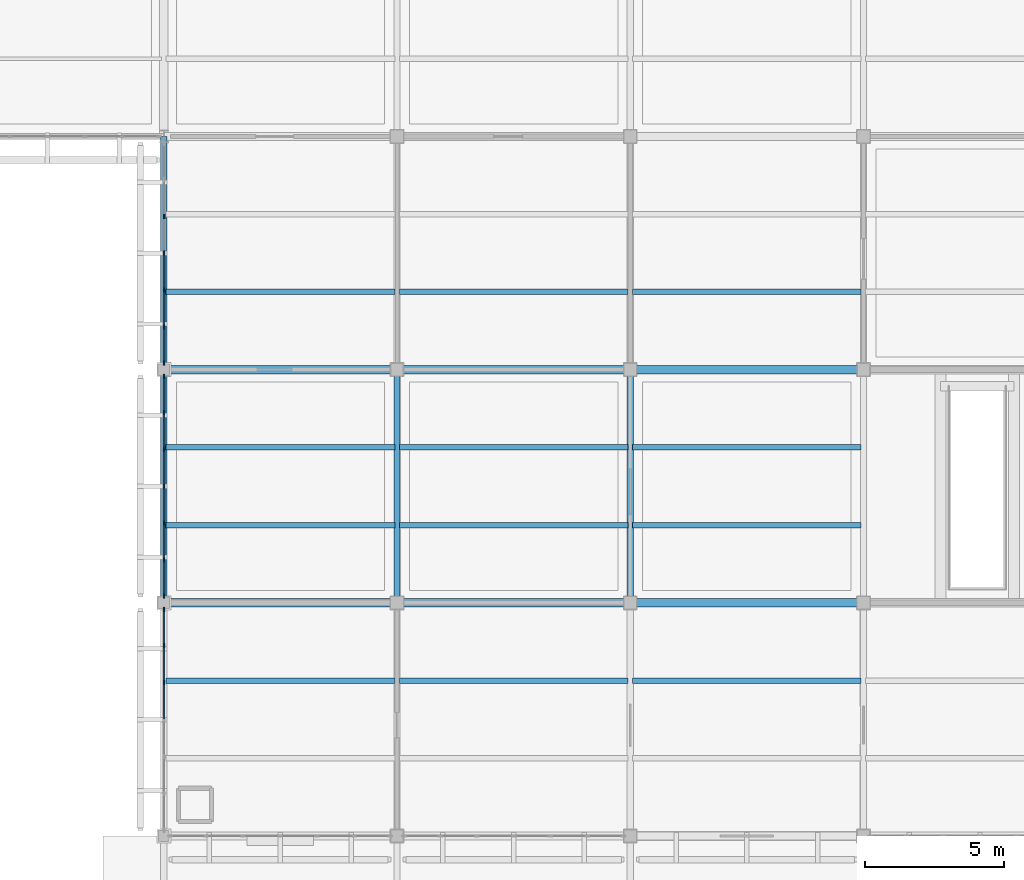
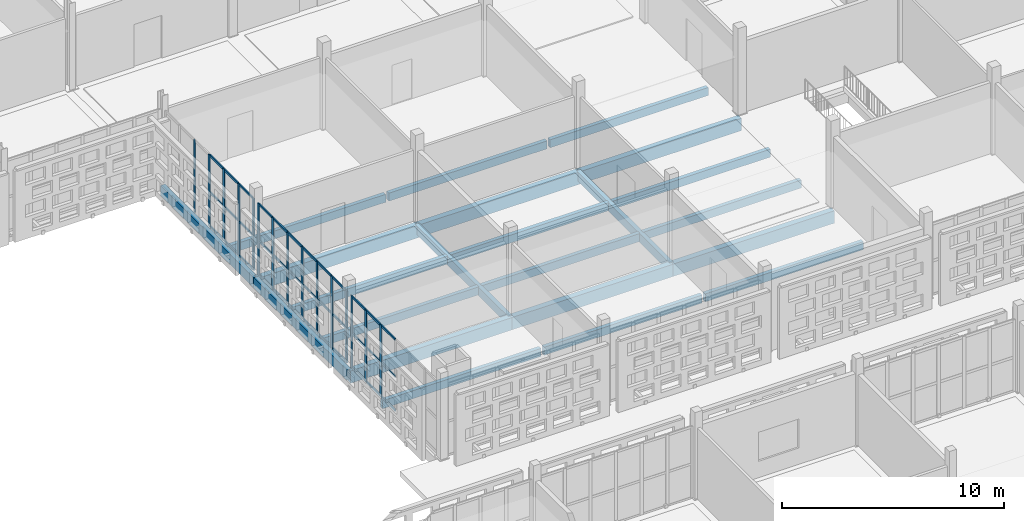
# One storey, part 78 of 203: 51 members, 22 beams, 3 elements without a shape of their own.
"""IFC4 building model written with IfcOpenShell, lengths in metres."""

from ifc_helpers import new_model, si_unit, direction, frame, origin, origin_2d, place, context, subcontext, project, spatial, rectangle, extrude, material, layer, layer_set, material_profile, profile_set, type_object, element, aggregate, save


model = new_model("IFC4")

# Units and contexts
model_context = context("Model", 3, precision=1e-05, world=origin(), true_north=direction((0.0, 1.0)))
body_context = subcontext(model_context, "Body", "Model", "MODEL_VIEW")
ifc_project = project(units=[si_unit("LENGTHUNIT", "METRE"), si_unit("AREAUNIT", "SQUARE_METRE"), si_unit("VOLUMEUNIT", "CUBIC_METRE"), si_unit("PLANEANGLEUNIT", "RADIAN"), si_unit("MASSUNIT", "GRAM", prefix="KILO")], contexts=[model_context])

# Site, building, storey
site_placement = place(None, origin())
site = spatial("IfcSite", under=ifc_project, at=site_placement, CompositionType="ELEMENT")
building_placement = place(site_placement, origin())
building = spatial("IfcBuilding", under=site, at=building_placement, Name="Varnapada Polytechnic", CompositionType="ELEMENT")
storey_placement = place(building_placement, frame((0.0, 0.0, 4.800048828125)))
storey = spatial("IfcBuildingStorey", under=building, at=storey_placement, Name="L01", CompositionType="ELEMENT", Elevation=4.800048828125)

# Beams
ifc_material_1 = material(Name="Glulam GL32h", Category="wood")
ifc_material_profile_1 = material_profile(ifc_material_1, rectangle(XDim=0.199951171875, YDim=0.43994140625, at=origin_2d()), Name="GL 200x440")
ifc_profile_set_1 = profile_set([ifc_material_profile_1], Name="Glulam GL32h")
beam_type_1 = type_object("IfcBeamType", Name="Heavy laboratory glulam joist GJ-03 (GL 200x440)", PredefinedType="JOIST", material=ifc_profile_set_1)
for number, where, z_axis, x_axis, name in (
    (1, (134.47998046875, 64.39990234375, -0.469970703125), (1.0, 0.0, 0.0), (0.0, 1.0, 0.0), "L01 floor joist 17/8.2"),
    (2, (134.47998046875, 70.0, -0.469970703125), (1.0, 0.0, 0.0), (0.0, 1.0, 0.0), "L01 floor joist 17/9.1"),
    (3, (134.47998046875, 72.800048828125, -0.469970703125), (1.0, 0.0, 0.0), (0.0, 1.0, 0.0), "L01 floor joist 17/9.2"),
    (4, (134.47998046875, 78.39990234375, -0.469970703125), (1.0, 0.0, 0.0), (0.0, 1.0, 0.0), "L01 floor joist 17/10.1"),
):
    element("IfcBeam", number, at=place(storey_placement, frame(where, z_axis=z_axis, x_axis=x_axis)), inside=storey, type_object=beam_type_1, Name=name, PredefinedType="JOIST", context=body_context, shape_type="SweptSolid", body=[
        extrude(rectangle(XDim=0.199951171875, YDim=0.43994140625, at=origin_2d()), origin(), (0.0, 0.0, 1.0), 8.239990234375),
    ])
for number, where, z_axis, x_axis, name in (
    (5, (142.8798828125, 64.39990234375, -0.469970703125), (1.0, 0.0, 0.0), (0.0, 1.0, 0.0), "L01 floor joist 18/8.2"),
    (6, (142.8798828125, 70.0, -0.469970703125), (1.0, 0.0, 0.0), (0.0, 1.0, 0.0), "L01 floor joist 18/9.1"),
    (7, (142.8798828125, 72.800048828125, -0.469970703125), (1.0, 0.0, 0.0), (0.0, 1.0, 0.0), "L01 floor joist 18/9.2"),
    (8, (142.8798828125, 78.39990234375, -0.469970703125), (1.0, 0.0, 0.0), (0.0, 1.0, 0.0), "L01 floor joist 18/10.1"),
):
    element("IfcBeam", number, at=place(storey_placement, frame(where, z_axis=z_axis, x_axis=x_axis)), inside=storey, type_object=beam_type_1, Name=name, PredefinedType="JOIST", context=body_context, shape_type="SweptSolid", body=[
        extrude(rectangle(XDim=0.199951171875, YDim=0.43994140625, at=origin_2d()), origin(), (0.0, 0.0, 1.0), 8.240234375),
    ])
for number, where, z_axis, x_axis, name in (
    (9, (151.280029296875, 64.39990234375, -0.469970703125), (1.0, 0.0, 0.0), (0.0, 1.0, 0.0), "L01 floor joist 19/8.2"),
    (10, (151.280029296875, 70.0, -0.469970703125), (1.0, 0.0, 0.0), (0.0, 1.0, 0.0), "L01 floor joist 19/9.1"),
    (11, (151.280029296875, 72.800048828125, -0.469970703125), (1.0, 0.0, 0.0), (0.0, 1.0, 0.0), "L01 floor joist 19/9.2"),
    (12, (151.280029296875, 78.39990234375, -0.469970703125), (1.0, 0.0, 0.0), (0.0, 1.0, 0.0), "L01 floor joist 19/10.1"),
):
    element("IfcBeam", number, at=place(storey_placement, frame(where, z_axis=z_axis, x_axis=x_axis)), inside=storey, type_object=beam_type_1, Name=name, PredefinedType="JOIST", context=body_context, shape_type="SweptSolid", body=[
        extrude(rectangle(XDim=0.199951171875, YDim=0.43994140625, at=origin_2d()), origin(), (0.0, 0.0, 1.0), 8.239990234375),
    ])

# Curtain wall, members
ifc_material_2 = material(Name="Double low-E laminated glass", Category="glass")
ifc_layer = layer(ifc_material_2, 0.159912109375)
ifc_layer_set = layer_set([ifc_layer], Name="Double low-E laminated glass")
curtain_wall_type = type_object("IfcCurtainWallType", Name="Curtain Wall CW-01", PredefinedType="NOTDEFINED", material=ifc_layer_set)
curtain_wall_1_placement = place(storey_placement, origin())
curtain_wall_1 = element("IfcCurtainWall", 13, at=curtain_wall_1_placement, inside=storey, type_object=curtain_wall_type, Name="L01 unitised curtain wall CW-01 (102)", PredefinedType="NOTDEFINED")
ifc_material_3 = material(Name="Anodised aluminium", Category="aluminium")
ifc_material_profile_2 = material_profile(ifc_material_3, rectangle(XDim=0.06005859375, YDim=0.159912109375, at=origin_2d()), Name="ALU M60x160")
ifc_profile_set_2 = profile_set([ifc_material_profile_2], Name="Anodised aluminium")
member_type_1 = type_object("IfcMemberType", Name="Mullion M-01", PredefinedType="MULLION", material=ifc_profile_set_2)
member_1_placement = place(storey_placement, frame((134.39990234375, 64.3232421875, 0.0), z_axis=(0.0, 0.0, 1.0), x_axis=(-1.0, 0.0, 0.0)))
member_1 = element("IfcMember", 14, at=member_1_placement, type_object=member_type_1, Name="CW-01 mullion 5", PredefinedType="MULLION", context=body_context, shape_type="SweptSolid", body=[
    extrude(rectangle(XDim=0.06005859375, YDim=0.159912109375, at=origin_2d()), origin(), (0.0, 0.0, 1.0), 3.9599609375),
])
member_2_placement = place(storey_placement, frame((134.39990234375, 65.65673828125, 0.0), z_axis=(0.0, 0.0, 1.0), x_axis=(-1.0, 0.0, 0.0)))
member_2 = element("IfcMember", 15, at=member_2_placement, type_object=member_type_1, Name="CW-01 mullion 6", PredefinedType="MULLION", context=body_context, shape_type="SweptSolid", body=[
    extrude(rectangle(XDim=0.06005859375, YDim=0.159912109375, at=origin_2d()), origin(), (0.0, 0.0, 1.0), 3.9599609375),
])
member_3_placement = place(storey_placement, frame((134.39990234375, 66.9599609375, 0.0), z_axis=(0.0, 0.0, 1.0), x_axis=(-1.0, 0.0, 0.0)))
member_3 = element("IfcMember", 16, at=member_3_placement, type_object=member_type_1, Name="CW-01 mullion 7", PredefinedType="MULLION", context=body_context, shape_type="SweptSolid", body=[
    extrude(rectangle(XDim=0.06005859375, YDim=0.159912109375, at=origin_2d()), origin(), (0.0, 0.0, 1.0), 3.9599609375),
])

curtain_wall_2_placement = place(storey_placement, origin())
curtain_wall_2 = element("IfcCurtainWall", 17, at=curtain_wall_2_placement, inside=storey, type_object=curtain_wall_type, Name="L01 unitised curtain wall CW-01 (103)", PredefinedType="NOTDEFINED")
member_4_placement = place(storey_placement, frame((134.39990234375, 67.43994140625, 0.0), z_axis=(0.0, 0.0, 1.0), x_axis=(-1.0, 0.0, 0.0)))
member_4 = element("IfcMember", 18, at=member_4_placement, type_object=member_type_1, Name="CW-01 mullion 1", PredefinedType="MULLION", context=body_context, shape_type="SweptSolid", body=[
    extrude(rectangle(XDim=0.06005859375, YDim=0.159912109375, at=origin_2d()), origin(), (0.0, 0.0, 1.0), 3.9599609375),
])
member_5_placement = place(storey_placement, frame((134.39990234375, 68.739990234375, 0.0), z_axis=(0.0, 0.0, 1.0), x_axis=(-1.0, 0.0, 0.0)))
member_5 = element("IfcMember", 19, at=member_5_placement, type_object=member_type_1, Name="CW-01 mullion 2", PredefinedType="MULLION", context=body_context, shape_type="SweptSolid", body=[
    extrude(rectangle(XDim=0.06005859375, YDim=0.159912109375, at=origin_2d()), origin(), (0.0, 0.0, 1.0), 3.9599609375),
])
member_6_placement = place(storey_placement, frame((134.39990234375, 70.070068359375, 0.0), z_axis=(0.0, 0.0, 1.0), x_axis=(-1.0, 0.0, 0.0)))
member_6 = element("IfcMember", 20, at=member_6_placement, type_object=member_type_1, Name="CW-01 mullion 3", PredefinedType="MULLION", context=body_context, shape_type="SweptSolid", body=[
    extrude(rectangle(XDim=0.06005859375, YDim=0.159912109375, at=origin_2d()), origin(), (0.0, 0.0, 1.0), 3.9599609375),
])
member_7_placement = place(storey_placement, frame((134.39990234375, 71.39990234375, 0.0), z_axis=(0.0, 0.0, 1.0), x_axis=(-1.0, 0.0, 0.0)))
member_7 = element("IfcMember", 21, at=member_7_placement, type_object=member_type_1, Name="CW-01 mullion 4", PredefinedType="MULLION", context=body_context, shape_type="SweptSolid", body=[
    extrude(rectangle(XDim=0.06005859375, YDim=0.159912109375, at=origin_2d()), origin(), (0.0, 0.0, 1.0), 3.9599609375),
])
member_8_placement = place(storey_placement, frame((134.39990234375, 72.72998046875, 0.0), z_axis=(0.0, 0.0, 1.0), x_axis=(-1.0, 0.0, 0.0)))
member_8 = element("IfcMember", 22, at=member_8_placement, type_object=member_type_1, Name="CW-01 mullion 5", PredefinedType="MULLION", context=body_context, shape_type="SweptSolid", body=[
    extrude(rectangle(XDim=0.06005859375, YDim=0.159912109375, at=origin_2d()), origin(), (0.0, 0.0, 1.0), 3.9599609375),
])
member_9_placement = place(storey_placement, frame((134.39990234375, 74.06005859375, 0.0), z_axis=(0.0, 0.0, 1.0), x_axis=(-1.0, 0.0, 0.0)))
member_9 = element("IfcMember", 23, at=member_9_placement, type_object=member_type_1, Name="CW-01 mullion 6", PredefinedType="MULLION", context=body_context, shape_type="SweptSolid", body=[
    extrude(rectangle(XDim=0.06005859375, YDim=0.159912109375, at=origin_2d()), origin(), (0.0, 0.0, 1.0), 3.9599609375),
])
member_10_placement = place(storey_placement, frame((134.39990234375, 75.360107421875, 0.0), z_axis=(0.0, 0.0, 1.0), x_axis=(-1.0, 0.0, 0.0)))
member_10 = element("IfcMember", 24, at=member_10_placement, type_object=member_type_1, Name="CW-01 mullion 7", PredefinedType="MULLION", context=body_context, shape_type="SweptSolid", body=[
    extrude(rectangle(XDim=0.06005859375, YDim=0.159912109375, at=origin_2d()), origin(), (0.0, 0.0, 1.0), 3.9599609375),
])

curtain_wall_3_placement = place(storey_placement, origin())
curtain_wall_3 = element("IfcCurtainWall", 25, at=curtain_wall_3_placement, inside=storey, type_object=curtain_wall_type, Name="L01 unitised curtain wall CW-01 (104)", PredefinedType="NOTDEFINED")
member_11_placement = place(storey_placement, frame((134.39990234375, 75.840087890625, 0.0), z_axis=(0.0, 0.0, 1.0), x_axis=(-1.0, 0.0, 0.0)))
member_11 = element("IfcMember", 26, at=member_11_placement, type_object=member_type_1, Name="CW-01 mullion 1", PredefinedType="MULLION", context=body_context, shape_type="SweptSolid", body=[
    extrude(rectangle(XDim=0.06005859375, YDim=0.159912109375, at=origin_2d()), origin(), (0.0, 0.0, 1.0), 3.9599609375),
])
member_12_placement = place(storey_placement, frame((134.39990234375, 77.138427734375, 0.0), z_axis=(0.0, 0.0, 1.0), x_axis=(-1.0, 0.0, 0.0)))
member_12 = element("IfcMember", 27, at=member_12_placement, type_object=member_type_1, Name="CW-01 mullion 2", PredefinedType="MULLION", context=body_context, shape_type="SweptSolid", body=[
    extrude(rectangle(XDim=0.06005859375, YDim=0.159912109375, at=origin_2d()), origin(), (0.0, 0.0, 1.0), 3.9599609375),
])
member_13_placement = place(storey_placement, frame((134.39990234375, 78.466552734375, 0.0), z_axis=(0.0, 0.0, 1.0), x_axis=(-1.0, 0.0, 0.0)))
member_13 = element("IfcMember", 28, at=member_13_placement, type_object=member_type_1, Name="CW-01 mullion 3", PredefinedType="MULLION", context=body_context, shape_type="SweptSolid", body=[
    extrude(rectangle(XDim=0.06005859375, YDim=0.159912109375, at=origin_2d()), origin(), (0.0, 0.0, 1.0), 3.9599609375),
])
member_14_placement = place(storey_placement, frame((134.39990234375, 79.794921875, 0.0), z_axis=(0.0, 0.0, 1.0), x_axis=(-1.0, 0.0, 0.0)))
member_14 = element("IfcMember", 29, at=member_14_placement, type_object=member_type_1, Name="CW-01 mullion 4", PredefinedType="MULLION", context=body_context, shape_type="SweptSolid", body=[
    extrude(rectangle(XDim=0.06005859375, YDim=0.159912109375, at=origin_2d()), origin(), (0.0, 0.0, 1.0), 3.9599609375),
])
member_15_placement = place(storey_placement, frame((134.39990234375, 81.123291015625, 0.0), z_axis=(0.0, 0.0, 1.0), x_axis=(-1.0, 0.0, 0.0)))
member_15 = element("IfcMember", 30, at=member_15_placement, type_object=member_type_1, Name="CW-01 mullion 5", PredefinedType="MULLION", context=body_context, shape_type="SweptSolid", body=[
    extrude(rectangle(XDim=0.06005859375, YDim=0.159912109375, at=origin_2d()), origin(), (0.0, 0.0, 1.0), 3.9599609375),
])

# Beams
ifc_material_profile_3 = material_profile(ifc_material_1, rectangle(XDim=0.239990234375, YDim=0.56005859375, at=origin_2d()), Name="GL 240x560")
ifc_profile_set_3 = profile_set([ifc_material_profile_3], Name="Glulam GL32h")
beam_type_2 = type_object("IfcBeamType", Name="Perimeter glulam spandrel beam SP-02 (GL 240x560)", PredefinedType="SPANDREL", material=ifc_profile_set_3)
beam_1_placement = place(storey_placement, frame((134.39990234375, 67.199951171875, -0.530029296875), z_axis=(0.0, 1.0, 0.0), x_axis=(-1.0, 0.0, 0.0)))
element("IfcBeam", 31, at=beam_1_placement, inside=storey, type_object=beam_type_2, Name="L01 beam Y 9-10 at X17", PredefinedType="SPANDREL", context=body_context, shape_type="SweptSolid", body=[
    extrude(rectangle(XDim=0.239990234375, YDim=0.56005859375, at=origin_2d()), origin(), (0.0, 0.0, 1.0), 8.400146484375),
])
beam_2_placement = place(storey_placement, frame((134.39990234375, 75.60009765625, -0.5400390625), z_axis=(0.0, 1.0, 0.0), x_axis=(-1.0, 0.0, 0.0)))
element("IfcBeam", 32, at=beam_2_placement, inside=storey, type_object=beam_type_2, Name="L01 beam Y 10-11 at X17", PredefinedType="SPANDREL", context=body_context, shape_type="SweptSolid", body=[
    extrude(rectangle(XDim=0.239990234375, YDim=0.56005859375, at=origin_2d()), origin(), (0.0, 0.0, 1.0), 8.39990234375),
])

# Member
ifc_material_profile_4 = material_profile(ifc_material_3, rectangle(XDim=0.06005859375, YDim=0.1201171875, at=origin_2d()), Name="ALU T60x120")
ifc_profile_set_4 = profile_set([ifc_material_profile_4], Name="Anodised aluminium")
member_type_2 = type_object("IfcMemberType", Name="Transom T-01", PredefinedType="USERDEFINED", material=ifc_profile_set_4)
member_16_placement = place(storey_placement, frame((134.39990234375, 63.02001953125, 0.030029296875), z_axis=(0.0, 1.0, 0.0), x_axis=(-1.0, 0.0, 0.0)))
member_16 = element("IfcMember", 33, at=member_16_placement, type_object=member_type_2, Name="CW-01 transom 4.1", ObjectType="TRANSOM", PredefinedType="USERDEFINED", context=body_context, shape_type="SweptSolid", body=[
    extrude(rectangle(XDim=0.06005859375, YDim=0.1201171875, at=origin_2d()), origin(), (0.0, 0.0, 1.0), 1.273193359375),
])

member_17_placement = place(storey_placement, frame((134.39990234375, 63.02001953125, 1.900634765625), z_axis=(0.0, 1.0, 0.0), x_axis=(-1.0, 0.0, 0.0)))
member_17 = element("IfcMember", 34, at=member_17_placement, type_object=member_type_2, Name="CW-01 transom 4.2", ObjectType="TRANSOM", PredefinedType="USERDEFINED", context=body_context, shape_type="SweptSolid", body=[
    extrude(rectangle(XDim=0.06005859375, YDim=0.1201171875, at=origin_2d()), origin(), (0.0, 0.0, 1.0), 1.273193359375),
])

member_18_placement = place(storey_placement, frame((134.39990234375, 63.02001953125, 3.929931640625), z_axis=(0.0, 1.0, 0.0), x_axis=(-1.0, 0.0, 0.0)))
member_18 = element("IfcMember", 35, at=member_18_placement, type_object=member_type_2, Name="CW-01 transom 4.3", ObjectType="TRANSOM", PredefinedType="USERDEFINED", context=body_context, shape_type="SweptSolid", body=[
    extrude(rectangle(XDim=0.06005859375, YDim=0.1201171875, at=origin_2d()), origin(), (0.0, 0.0, 1.0), 1.273193359375),
])

member_19_placement = place(storey_placement, frame((134.39990234375, 64.353271484375, 0.030029296875), z_axis=(0.0, 1.0, 0.0), x_axis=(-1.0, 0.0, 0.0)))
member_19 = element("IfcMember", 36, at=member_19_placement, type_object=member_type_2, Name="CW-01 transom 5.1", ObjectType="TRANSOM", PredefinedType="USERDEFINED", context=body_context, shape_type="SweptSolid", body=[
    extrude(rectangle(XDim=0.06005859375, YDim=0.1201171875, at=origin_2d()), origin(), (0.0, 0.0, 1.0), 1.2734375),
])

member_20_placement = place(storey_placement, frame((134.39990234375, 64.353271484375, 1.900634765625), z_axis=(0.0, 1.0, 0.0), x_axis=(-1.0, 0.0, 0.0)))
member_20 = element("IfcMember", 37, at=member_20_placement, type_object=member_type_2, Name="CW-01 transom 5.2", ObjectType="TRANSOM", PredefinedType="USERDEFINED", context=body_context, shape_type="SweptSolid", body=[
    extrude(rectangle(XDim=0.06005859375, YDim=0.1201171875, at=origin_2d()), origin(), (0.0, 0.0, 1.0), 1.2734375),
])

member_21_placement = place(storey_placement, frame((134.39990234375, 64.353271484375, 3.929931640625), z_axis=(0.0, 1.0, 0.0), x_axis=(-1.0, 0.0, 0.0)))
member_21 = element("IfcMember", 38, at=member_21_placement, type_object=member_type_2, Name="CW-01 transom 5.3", ObjectType="TRANSOM", PredefinedType="USERDEFINED", context=body_context, shape_type="SweptSolid", body=[
    extrude(rectangle(XDim=0.06005859375, YDim=0.1201171875, at=origin_2d()), origin(), (0.0, 0.0, 1.0), 1.2734375),
])

member_22_placement = place(storey_placement, frame((134.39990234375, 65.686767578125, 0.030029296875), z_axis=(0.0, 1.0, 0.0), x_axis=(-1.0, 0.0, 0.0)))
member_22 = element("IfcMember", 39, at=member_22_placement, type_object=member_type_2, Name="CW-01 transom 6.1", ObjectType="TRANSOM", PredefinedType="USERDEFINED", context=body_context, shape_type="SweptSolid", body=[
    extrude(rectangle(XDim=0.06005859375, YDim=0.1201171875, at=origin_2d()), origin(), (0.0, 0.0, 1.0), 1.2431640625),
])

member_23_placement = place(storey_placement, frame((134.39990234375, 65.686767578125, 1.900634765625), z_axis=(0.0, 1.0, 0.0), x_axis=(-1.0, 0.0, 0.0)))
member_23 = element("IfcMember", 40, at=member_23_placement, type_object=member_type_2, Name="CW-01 transom 6.2", ObjectType="TRANSOM", PredefinedType="USERDEFINED", context=body_context, shape_type="SweptSolid", body=[
    extrude(rectangle(XDim=0.06005859375, YDim=0.1201171875, at=origin_2d()), origin(), (0.0, 0.0, 1.0), 1.2431640625),
])

member_24_placement = place(storey_placement, frame((134.39990234375, 65.686767578125, 3.929931640625), z_axis=(0.0, 1.0, 0.0), x_axis=(-1.0, 0.0, 0.0)))
member_24 = element("IfcMember", 41, at=member_24_placement, type_object=member_type_2, Name="CW-01 transom 6.3", ObjectType="TRANSOM", PredefinedType="USERDEFINED", context=body_context, shape_type="SweptSolid", body=[
    extrude(rectangle(XDim=0.06005859375, YDim=0.1201171875, at=origin_2d()), origin(), (0.0, 0.0, 1.0), 1.2431640625),
])

aggregate(curtain_wall_1, [member_1, member_2, member_3, member_16, member_17, member_18, member_19, member_20, member_21, member_22, member_23, member_24])

member_25_placement = place(storey_placement, frame((134.39990234375, 67.469970703125, 0.030029296875), z_axis=(0.0, 1.0, 0.0), x_axis=(-1.0, 0.0, 0.0)))
member_25 = element("IfcMember", 42, at=member_25_placement, type_object=member_type_2, Name="CW-01 transom 1.1", ObjectType="TRANSOM", PredefinedType="USERDEFINED", context=body_context, shape_type="SweptSolid", body=[
    extrude(rectangle(XDim=0.06005859375, YDim=0.1201171875, at=origin_2d()), origin(), (0.0, 0.0, 1.0), 1.239990234375),
])

member_26_placement = place(storey_placement, frame((134.39990234375, 67.469970703125, 1.900634765625), z_axis=(0.0, 1.0, 0.0), x_axis=(-1.0, 0.0, 0.0)))
member_26 = element("IfcMember", 43, at=member_26_placement, type_object=member_type_2, Name="CW-01 transom 1.2", ObjectType="TRANSOM", PredefinedType="USERDEFINED", context=body_context, shape_type="SweptSolid", body=[
    extrude(rectangle(XDim=0.06005859375, YDim=0.1201171875, at=origin_2d()), origin(), (0.0, 0.0, 1.0), 1.239990234375),
])

member_27_placement = place(storey_placement, frame((134.39990234375, 67.469970703125, 3.929931640625), z_axis=(0.0, 1.0, 0.0), x_axis=(-1.0, 0.0, 0.0)))
member_27 = element("IfcMember", 44, at=member_27_placement, type_object=member_type_2, Name="CW-01 transom 1.3", ObjectType="TRANSOM", PredefinedType="USERDEFINED", context=body_context, shape_type="SweptSolid", body=[
    extrude(rectangle(XDim=0.06005859375, YDim=0.1201171875, at=origin_2d()), origin(), (0.0, 0.0, 1.0), 1.239990234375),
])

member_28_placement = place(storey_placement, frame((134.39990234375, 68.77001953125, 0.030029296875), z_axis=(0.0, 1.0, 0.0), x_axis=(-1.0, 0.0, 0.0)))
member_28 = element("IfcMember", 45, at=member_28_placement, type_object=member_type_2, Name="CW-01 transom 2.1", ObjectType="TRANSOM", PredefinedType="USERDEFINED", context=body_context, shape_type="SweptSolid", body=[
    extrude(rectangle(XDim=0.06005859375, YDim=0.1201171875, at=origin_2d()), origin(), (0.0, 0.0, 1.0), 1.27001953125),
])

member_29_placement = place(storey_placement, frame((134.39990234375, 68.77001953125, 1.900634765625), z_axis=(0.0, 1.0, 0.0), x_axis=(-1.0, 0.0, 0.0)))
member_29 = element("IfcMember", 46, at=member_29_placement, type_object=member_type_2, Name="CW-01 transom 2.2", ObjectType="TRANSOM", PredefinedType="USERDEFINED", context=body_context, shape_type="SweptSolid", body=[
    extrude(rectangle(XDim=0.06005859375, YDim=0.1201171875, at=origin_2d()), origin(), (0.0, 0.0, 1.0), 1.27001953125),
])

member_30_placement = place(storey_placement, frame((134.39990234375, 68.77001953125, 3.929931640625), z_axis=(0.0, 1.0, 0.0), x_axis=(-1.0, 0.0, 0.0)))
member_30 = element("IfcMember", 47, at=member_30_placement, type_object=member_type_2, Name="CW-01 transom 2.3", ObjectType="TRANSOM", PredefinedType="USERDEFINED", context=body_context, shape_type="SweptSolid", body=[
    extrude(rectangle(XDim=0.06005859375, YDim=0.1201171875, at=origin_2d()), origin(), (0.0, 0.0, 1.0), 1.27001953125),
])

member_31_placement = place(storey_placement, frame((134.39990234375, 70.10009765625, 0.030029296875), z_axis=(0.0, 1.0, 0.0), x_axis=(-1.0, 0.0, 0.0)))
member_31 = element("IfcMember", 48, at=member_31_placement, type_object=member_type_2, Name="CW-01 transom 3.1", ObjectType="TRANSOM", PredefinedType="USERDEFINED", context=body_context, shape_type="SweptSolid", body=[
    extrude(rectangle(XDim=0.06005859375, YDim=0.1201171875, at=origin_2d()), origin(), (0.0, 0.0, 1.0), 1.27001953125),
])

member_32_placement = place(storey_placement, frame((134.39990234375, 70.10009765625, 1.900634765625), z_axis=(0.0, 1.0, 0.0), x_axis=(-1.0, 0.0, 0.0)))
member_32 = element("IfcMember", 49, at=member_32_placement, type_object=member_type_2, Name="CW-01 transom 3.2", ObjectType="TRANSOM", PredefinedType="USERDEFINED", context=body_context, shape_type="SweptSolid", body=[
    extrude(rectangle(XDim=0.06005859375, YDim=0.1201171875, at=origin_2d()), origin(), (0.0, 0.0, 1.0), 1.27001953125),
])

member_33_placement = place(storey_placement, frame((134.39990234375, 70.10009765625, 3.929931640625), z_axis=(0.0, 1.0, 0.0), x_axis=(-1.0, 0.0, 0.0)))
member_33 = element("IfcMember", 50, at=member_33_placement, type_object=member_type_2, Name="CW-01 transom 3.3", ObjectType="TRANSOM", PredefinedType="USERDEFINED", context=body_context, shape_type="SweptSolid", body=[
    extrude(rectangle(XDim=0.06005859375, YDim=0.1201171875, at=origin_2d()), origin(), (0.0, 0.0, 1.0), 1.27001953125),
])

member_34_placement = place(storey_placement, frame((134.39990234375, 71.429931640625, 0.030029296875), z_axis=(0.0, 1.0, 0.0), x_axis=(-1.0, 0.0, 0.0)))
member_34 = element("IfcMember", 51, at=member_34_placement, type_object=member_type_2, Name="CW-01 transom 4.1", ObjectType="TRANSOM", PredefinedType="USERDEFINED", context=body_context, shape_type="SweptSolid", body=[
    extrude(rectangle(XDim=0.06005859375, YDim=0.1201171875, at=origin_2d()), origin(), (0.0, 0.0, 1.0), 1.27001953125),
])

member_35_placement = place(storey_placement, frame((134.39990234375, 71.429931640625, 1.900634765625), z_axis=(0.0, 1.0, 0.0), x_axis=(-1.0, 0.0, 0.0)))
member_35 = element("IfcMember", 52, at=member_35_placement, type_object=member_type_2, Name="CW-01 transom 4.2", ObjectType="TRANSOM", PredefinedType="USERDEFINED", context=body_context, shape_type="SweptSolid", body=[
    extrude(rectangle(XDim=0.06005859375, YDim=0.1201171875, at=origin_2d()), origin(), (0.0, 0.0, 1.0), 1.27001953125),
])

member_36_placement = place(storey_placement, frame((134.39990234375, 71.429931640625, 3.929931640625), z_axis=(0.0, 1.0, 0.0), x_axis=(-1.0, 0.0, 0.0)))
member_36 = element("IfcMember", 53, at=member_36_placement, type_object=member_type_2, Name="CW-01 transom 4.3", ObjectType="TRANSOM", PredefinedType="USERDEFINED", context=body_context, shape_type="SweptSolid", body=[
    extrude(rectangle(XDim=0.06005859375, YDim=0.1201171875, at=origin_2d()), origin(), (0.0, 0.0, 1.0), 1.27001953125),
])

member_37_placement = place(storey_placement, frame((134.39990234375, 72.760009765625, 0.030029296875), z_axis=(0.0, 1.0, 0.0), x_axis=(-1.0, 0.0, 0.0)))
member_37 = element("IfcMember", 54, at=member_37_placement, type_object=member_type_2, Name="CW-01 transom 5.1", ObjectType="TRANSOM", PredefinedType="USERDEFINED", context=body_context, shape_type="SweptSolid", body=[
    extrude(rectangle(XDim=0.06005859375, YDim=0.1201171875, at=origin_2d()), origin(), (0.0, 0.0, 1.0), 1.27001953125),
])

member_38_placement = place(storey_placement, frame((134.39990234375, 72.760009765625, 1.900634765625), z_axis=(0.0, 1.0, 0.0), x_axis=(-1.0, 0.0, 0.0)))
member_38 = element("IfcMember", 55, at=member_38_placement, type_object=member_type_2, Name="CW-01 transom 5.2", ObjectType="TRANSOM", PredefinedType="USERDEFINED", context=body_context, shape_type="SweptSolid", body=[
    extrude(rectangle(XDim=0.06005859375, YDim=0.1201171875, at=origin_2d()), origin(), (0.0, 0.0, 1.0), 1.27001953125),
])

member_39_placement = place(storey_placement, frame((134.39990234375, 72.760009765625, 3.929931640625), z_axis=(0.0, 1.0, 0.0), x_axis=(-1.0, 0.0, 0.0)))
member_39 = element("IfcMember", 56, at=member_39_placement, type_object=member_type_2, Name="CW-01 transom 5.3", ObjectType="TRANSOM", PredefinedType="USERDEFINED", context=body_context, shape_type="SweptSolid", body=[
    extrude(rectangle(XDim=0.06005859375, YDim=0.1201171875, at=origin_2d()), origin(), (0.0, 0.0, 1.0), 1.27001953125),
])

member_40_placement = place(storey_placement, frame((134.39990234375, 74.090087890625, 0.030029296875), z_axis=(0.0, 1.0, 0.0), x_axis=(-1.0, 0.0, 0.0)))
member_40 = element("IfcMember", 57, at=member_40_placement, type_object=member_type_2, Name="CW-01 transom 6.1", ObjectType="TRANSOM", PredefinedType="USERDEFINED", context=body_context, shape_type="SweptSolid", body=[
    extrude(rectangle(XDim=0.06005859375, YDim=0.1201171875, at=origin_2d()), origin(), (0.0, 0.0, 1.0), 1.239990234375),
])

member_41_placement = place(storey_placement, frame((134.39990234375, 74.090087890625, 1.900634765625), z_axis=(0.0, 1.0, 0.0), x_axis=(-1.0, 0.0, 0.0)))
member_41 = element("IfcMember", 58, at=member_41_placement, type_object=member_type_2, Name="CW-01 transom 6.2", ObjectType="TRANSOM", PredefinedType="USERDEFINED", context=body_context, shape_type="SweptSolid", body=[
    extrude(rectangle(XDim=0.06005859375, YDim=0.1201171875, at=origin_2d()), origin(), (0.0, 0.0, 1.0), 1.239990234375),
])

member_42_placement = place(storey_placement, frame((134.39990234375, 74.090087890625, 3.929931640625), z_axis=(0.0, 1.0, 0.0), x_axis=(-1.0, 0.0, 0.0)))
member_42 = element("IfcMember", 59, at=member_42_placement, type_object=member_type_2, Name="CW-01 transom 6.3", ObjectType="TRANSOM", PredefinedType="USERDEFINED", context=body_context, shape_type="SweptSolid", body=[
    extrude(rectangle(XDim=0.06005859375, YDim=0.1201171875, at=origin_2d()), origin(), (0.0, 0.0, 1.0), 1.239990234375),
])

aggregate(curtain_wall_2, [member_4, member_5, member_6, member_7, member_8, member_9, member_10, member_25, member_26, member_27, member_28, member_29, member_30, member_31, member_32, member_33, member_34, member_35, member_36, member_37, member_38, member_39, member_40, member_41, member_42])

member_43_placement = place(storey_placement, frame((134.39990234375, 75.8701171875, 0.030029296875), z_axis=(0.0, 1.0, 0.0), x_axis=(-1.0, 0.0, 0.0)))
member_43 = element("IfcMember", 60, at=member_43_placement, type_object=member_type_2, Name="CW-01 transom 1.1", ObjectType="TRANSOM", PredefinedType="USERDEFINED", context=body_context, shape_type="SweptSolid", body=[
    extrude(rectangle(XDim=0.06005859375, YDim=0.1201171875, at=origin_2d()), origin(), (0.0, 0.0, 1.0), 1.23828125),
])

member_44_placement = place(storey_placement, frame((134.39990234375, 75.8701171875, 1.900634765625), z_axis=(0.0, 1.0, 0.0), x_axis=(-1.0, 0.0, 0.0)))
member_44 = element("IfcMember", 61, at=member_44_placement, type_object=member_type_2, Name="CW-01 transom 1.2", ObjectType="TRANSOM", PredefinedType="USERDEFINED", context=body_context, shape_type="SweptSolid", body=[
    extrude(rectangle(XDim=0.06005859375, YDim=0.1201171875, at=origin_2d()), origin(), (0.0, 0.0, 1.0), 1.23828125),
])

member_45_placement = place(storey_placement, frame((134.39990234375, 75.8701171875, 3.929931640625), z_axis=(0.0, 1.0, 0.0), x_axis=(-1.0, 0.0, 0.0)))
member_45 = element("IfcMember", 62, at=member_45_placement, type_object=member_type_2, Name="CW-01 transom 1.3", ObjectType="TRANSOM", PredefinedType="USERDEFINED", context=body_context, shape_type="SweptSolid", body=[
    extrude(rectangle(XDim=0.06005859375, YDim=0.1201171875, at=origin_2d()), origin(), (0.0, 0.0, 1.0), 1.23828125),
])

member_46_placement = place(storey_placement, frame((134.39990234375, 77.168212890625, 0.030029296875), z_axis=(0.0, 1.0, 0.0), x_axis=(-1.0, 0.0, 0.0)))
member_46 = element("IfcMember", 63, at=member_46_placement, type_object=member_type_2, Name="CW-01 transom 2.1", ObjectType="TRANSOM", PredefinedType="USERDEFINED", context=body_context, shape_type="SweptSolid", body=[
    extrude(rectangle(XDim=0.06005859375, YDim=0.1201171875, at=origin_2d()), origin(), (0.0, 0.0, 1.0), 1.2685546875),
])

member_47_placement = place(storey_placement, frame((134.39990234375, 77.168212890625, 1.900634765625), z_axis=(0.0, 1.0, 0.0), x_axis=(-1.0, 0.0, 0.0)))
member_47 = element("IfcMember", 64, at=member_47_placement, type_object=member_type_2, Name="CW-01 transom 2.2", ObjectType="TRANSOM", PredefinedType="USERDEFINED", context=body_context, shape_type="SweptSolid", body=[
    extrude(rectangle(XDim=0.06005859375, YDim=0.1201171875, at=origin_2d()), origin(), (0.0, 0.0, 1.0), 1.2685546875),
])

member_48_placement = place(storey_placement, frame((134.39990234375, 77.168212890625, 3.929931640625), z_axis=(0.0, 1.0, 0.0), x_axis=(-1.0, 0.0, 0.0)))
member_48 = element("IfcMember", 65, at=member_48_placement, type_object=member_type_2, Name="CW-01 transom 2.3", ObjectType="TRANSOM", PredefinedType="USERDEFINED", context=body_context, shape_type="SweptSolid", body=[
    extrude(rectangle(XDim=0.06005859375, YDim=0.1201171875, at=origin_2d()), origin(), (0.0, 0.0, 1.0), 1.2685546875),
])

member_49_placement = place(storey_placement, frame((134.39990234375, 78.49658203125, 0.030029296875), z_axis=(0.0, 1.0, 0.0), x_axis=(-1.0, 0.0, 0.0)))
member_49 = element("IfcMember", 66, at=member_49_placement, type_object=member_type_2, Name="CW-01 transom 3.1", ObjectType="TRANSOM", PredefinedType="USERDEFINED", context=body_context, shape_type="SweptSolid", body=[
    extrude(rectangle(XDim=0.06005859375, YDim=0.1201171875, at=origin_2d()), origin(), (0.0, 0.0, 1.0), 1.268310546875),
])

member_50_placement = place(storey_placement, frame((134.39990234375, 78.49658203125, 1.900634765625), z_axis=(0.0, 1.0, 0.0), x_axis=(-1.0, 0.0, 0.0)))
member_50 = element("IfcMember", 67, at=member_50_placement, type_object=member_type_2, Name="CW-01 transom 3.2", ObjectType="TRANSOM", PredefinedType="USERDEFINED", context=body_context, shape_type="SweptSolid", body=[
    extrude(rectangle(XDim=0.06005859375, YDim=0.1201171875, at=origin_2d()), origin(), (0.0, 0.0, 1.0), 1.268310546875),
])

member_51_placement = place(storey_placement, frame((134.39990234375, 78.49658203125, 3.929931640625), z_axis=(0.0, 1.0, 0.0), x_axis=(-1.0, 0.0, 0.0)))
member_51 = element("IfcMember", 68, at=member_51_placement, type_object=member_type_2, Name="CW-01 transom 3.3", ObjectType="TRANSOM", PredefinedType="USERDEFINED", context=body_context, shape_type="SweptSolid", body=[
    extrude(rectangle(XDim=0.06005859375, YDim=0.1201171875, at=origin_2d()), origin(), (0.0, 0.0, 1.0), 1.268310546875),
])

aggregate(curtain_wall_3, [member_11, member_12, member_13, member_14, member_15, member_43, member_44, member_45, member_46, member_47, member_48, member_49, member_50, member_51])

# Beams
ifc_material_profile_5 = material_profile(ifc_material_1, rectangle(XDim=0.219970703125, YDim=0.47998046875, at=origin_2d()), Name="GL 220x480")
ifc_profile_set_5 = profile_set([ifc_material_profile_5], Name="Glulam GL32h")
beam_type_3 = type_object("IfcBeamType", Name="Upper floor glulam tie beam GB-11 (GL 220x480)", PredefinedType="BEAM", material=ifc_profile_set_5)
for number, where, z_axis, x_axis, name in (
    (69, (142.800048828125, 67.199951171875, -0.489990234375), (0.0, 1.0, 0.0), (-1.0, 0.0, 0.0), "L01 beam Y 9-10 at X18"),
    (70, (151.199951171875, 67.199951171875, -0.489990234375), (0.0, 1.0, 0.0), (-1.0, 0.0, 0.0), "L01 beam Y 9-10 at X19"),
):
    element("IfcBeam", number, at=place(storey_placement, frame(where, z_axis=z_axis, x_axis=x_axis)), inside=storey, type_object=beam_type_3, Name=name, PredefinedType="BEAM", context=body_context, shape_type="SweptSolid", body=[
        extrude(rectangle(XDim=0.219970703125, YDim=0.47998046875, at=origin_2d()), origin(), (0.0, 0.0, 1.0), 8.400146484375),
    ])
ifc_material_profile_6 = material_profile(ifc_material_1, rectangle(XDim=0.300048828125, YDim=0.679931640625, at=origin_2d()), Name="GL 300x680")
ifc_profile_set_6 = profile_set([ifc_material_profile_6], Name="Glulam GL32h")
beam_type_4 = type_object("IfcBeamType", Name="Wet laboratory glulam girder GG-04 (GL 300x680)", PredefinedType="BEAM", material=ifc_profile_set_6)
for number, where, z_axis, x_axis, name in (
    (71, (134.39990234375, 67.199951171875, -0.590087890625), (1.0, 0.0, 0.0), (0.0, 1.0, 0.0), "L01 beam X 17-18 at Y9"),
    (72, (134.39990234375, 75.60009765625, -0.590087890625), (1.0, 0.0, 0.0), (0.0, 1.0, 0.0), "L01 beam X 17-18 at Y10"),
):
    element("IfcBeam", number, at=place(storey_placement, frame(where, z_axis=z_axis, x_axis=x_axis)), inside=storey, type_object=beam_type_4, Name=name, PredefinedType="BEAM", context=body_context, shape_type="SweptSolid", body=[
        extrude(rectangle(XDim=0.300048828125, YDim=0.679931640625, at=origin_2d()), origin(), (0.0, 0.0, 1.0), 8.400146484375),
    ])
for number, where, z_axis, x_axis, name in (
    (73, (142.800048828125, 67.199951171875, -0.590087890625), (1.0, 0.0, 0.0), (0.0, 1.0, 0.0), "L01 beam X 18-19 at Y9"),
    (74, (142.800048828125, 75.60009765625, -0.590087890625), (1.0, 0.0, 0.0), (0.0, 1.0, 0.0), "L01 beam X 18-19 at Y10"),
):
    element("IfcBeam", number, at=place(storey_placement, frame(where, z_axis=z_axis, x_axis=x_axis)), inside=storey, type_object=beam_type_4, Name=name, PredefinedType="BEAM", context=body_context, shape_type="SweptSolid", body=[
        extrude(rectangle(XDim=0.300048828125, YDim=0.679931640625, at=origin_2d()), origin(), (0.0, 0.0, 1.0), 8.39990234375),
    ])
for number, where, z_axis, x_axis, name in (
    (75, (151.199951171875, 67.199951171875, -0.590087890625), (1.0, 0.0, 0.0), (0.0, 1.0, 0.0), "L01 beam X 19-20 at Y9"),
    (76, (151.199951171875, 75.60009765625, -0.590087890625), (1.0, 0.0, 0.0), (0.0, 1.0, 0.0), "L01 beam X 19-20 at Y10"),
):
    element("IfcBeam", number, at=place(storey_placement, frame(where, z_axis=z_axis, x_axis=x_axis)), inside=storey, type_object=beam_type_4, Name=name, PredefinedType="BEAM", context=body_context, shape_type="SweptSolid", body=[
        extrude(rectangle(XDim=0.300048828125, YDim=0.679931640625, at=origin_2d()), origin(), (0.0, 0.0, 1.0), 8.400146484375),
    ])

save(model, "model.ifc")
